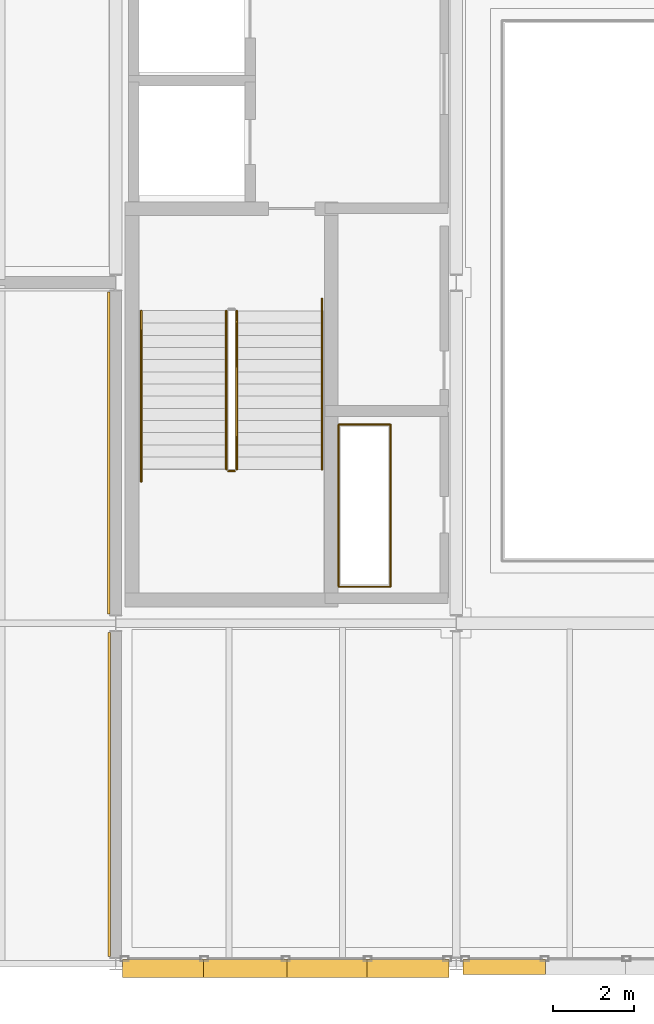
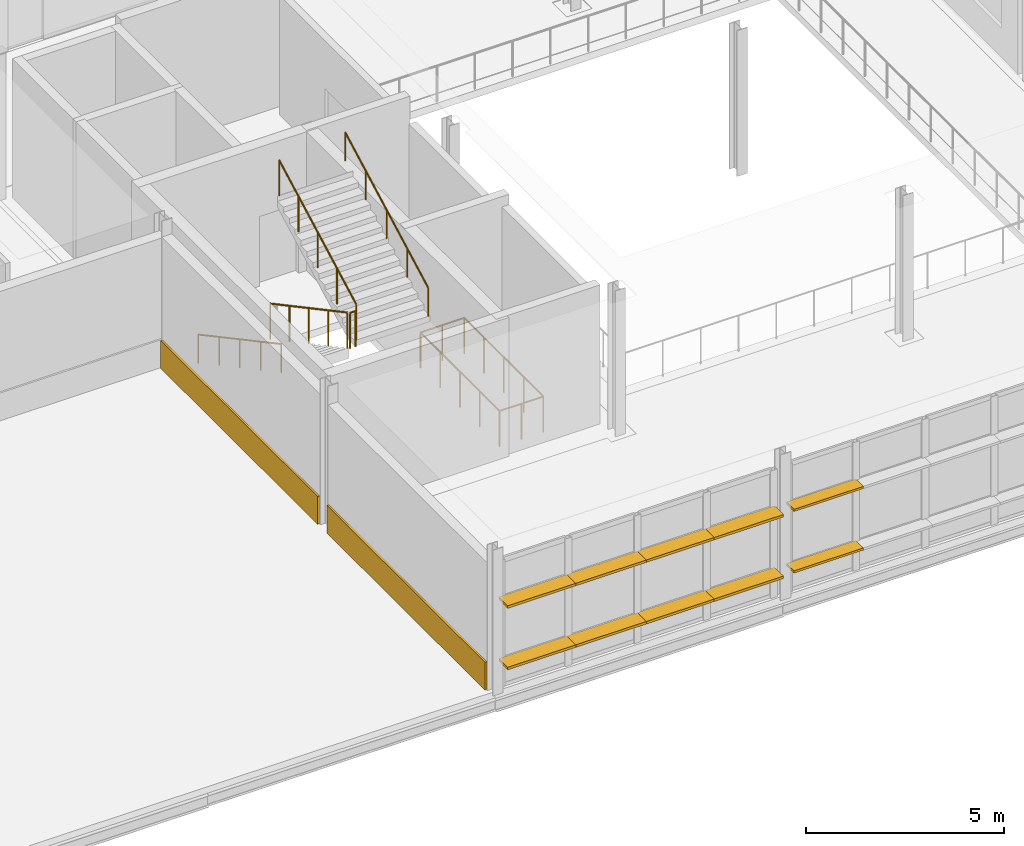
# One storey, part 109 of 129: 10 shading devices, 6 railings, 2 coverings.
"""IFC4 building model written with IfcOpenShell, lengths in metres."""

from ifc_helpers import new_model, si_unit, direction, frame, origin, origin_2d, place, context, subcontext, project, spatial, rectangle, circle, extrude, material, layer, layer_set, type_object, element, save


model = new_model("IFC4")

# Units and contexts
model_context = context("Model", 3, precision=1e-05, world=origin(), true_north=direction((0.0, 1.0)))
body_context = subcontext(model_context, "Body", "Model", "MODEL_VIEW")
ifc_project = project(units=[si_unit("LENGTHUNIT", "METRE"), si_unit("AREAUNIT", "SQUARE_METRE"), si_unit("VOLUMEUNIT", "CUBIC_METRE"), si_unit("PLANEANGLEUNIT", "RADIAN"), si_unit("MASSUNIT", "GRAM", prefix="KILO")], contexts=[model_context])

# Site, building, storey
site_placement = place(None, origin())
site = spatial("IfcSite", under=ifc_project, at=site_placement, CompositionType="ELEMENT")
building_placement = place(site_placement, origin())
building = spatial("IfcBuilding", under=site, at=building_placement, Name="Mersafa Astral City Hall", CompositionType="ELEMENT")
storey_placement = place(building_placement, frame((0.0, 0.0, 5.39990234375)))
storey = spatial("IfcBuildingStorey", under=building, at=storey_placement, Name="L01", CompositionType="ELEMENT", Elevation=5.39990234375)

# Coverings
ifc_material_1 = material(Name="Cairo Mokattam buff limestone cladding", Category="masonry")
ifc_layer = layer(ifc_material_1, 0.06005859375, Name="Cairo Mokattam buff limestone cladding")
ifc_layer_set = layer_set([ifc_layer], Name="Cairo Mokattam buff limestone cladding — ENV-COV-LIMESTONE-60")
covering_type = type_object("IfcCoveringType", Name="ENV-COV-LIMESTONE-60", PredefinedType="CLADDING", material=ifc_layer_set)
covering_1_placement = place(storey_placement, frame((117.430419921875, 12.60009765625, 0.0), z_axis=(0.0, 0.0, 1.0), x_axis=(0.0, -1.0, 0.0)))
element("IfcCovering", 1, at=covering_1_placement, inside=storey, type_object=covering_type, Name="L01 Cairo buff limestone rainscreen cladding 73", PredefinedType="CLADDING", context=body_context, shape_type="SweptSolid", body=[
    extrude(rectangle(XDim=7.947998046875, YDim=0.06005859375, at=origin_2d()), origin(), (0.0, 0.0, 1.0), 0.860107421875),
])
covering_2_placement = place(storey_placement, frame((117.43798828125, 4.175048828125, 0.0), z_axis=(0.0, 0.0, 1.0), x_axis=(0.0, -1.0, 0.0)))
element("IfcCovering", 2, at=covering_2_placement, inside=storey, type_object=covering_type, Name="L01 Cairo buff limestone rainscreen cladding 74", PredefinedType="CLADDING", context=body_context, shape_type="SweptSolid", body=[
    extrude(rectangle(XDim=7.998046875, YDim=0.06005859375, at=origin_2d()), origin(), (0.0, 0.0, 1.0), 0.860107421875),
])

# Shading devices
ifc_material_2 = material(Name="Kiln-dried cedar timber brise-soleil blade", Category="wood")
shading_device_type_1 = type_object("IfcShadingDeviceType", Name="ENV-SHD-LOUVRE-380", PredefinedType="JALOUSIE", material=ifc_material_2)
for number, where, z_axis, x_axis, name in (
    (3, (127.1865234375, -0.080078125, 0.81494140625), (0.0, 0.0, 1.0), (1.0, 0.0, 0.0), "L01 Horizontal cedar brise-soleil louvre 309"),
    (4, (127.1865234375, -0.080078125, 2.71484375), (0.0, 0.0, 1.0), (1.0, 0.0, 0.0), "L01 Horizontal cedar brise-soleil louvre 313"),
):
    element("IfcShadingDevice", number, at=place(storey_placement, frame(where, z_axis=z_axis, x_axis=x_axis)), inside=storey, type_object=shading_device_type_1, Name=name, PredefinedType="JALOUSIE", context=body_context, shape_type="SweptSolid", body=[
        extrude(rectangle(XDim=2.029052734375, YDim=0.3798828125, at=origin_2d()), origin(), (0.0, 0.0, 1.0), 0.070068359375),
    ])
shading_device_type_2 = type_object("IfcShadingDeviceType", Name="ENV-SHD-LOUVRE-450", PredefinedType="JALOUSIE", material=ifc_material_2)
shading_device_1_placement = place(storey_placement, frame((118.78662109375, -0.114990234375, 0.81005859375), z_axis=(0.0, 0.0, 1.0), x_axis=(1.0, 0.0, 0.0)))
element("IfcShadingDevice", 5, at=shading_device_1_placement, inside=storey, type_object=shading_device_type_2, Name="L01 Horizontal cedar brise-soleil louvre 301", PredefinedType="JALOUSIE", context=body_context, shape_type="SweptSolid", body=[
    extrude(rectangle(XDim=2.029052734375, YDim=0.449951171875, at=origin_2d()), origin(), (0.0, 0.0, 1.0), 0.080078125),
])
for number, where, z_axis, x_axis, name in (
    (6, (120.79052734375, -0.114990234375, 0.81005859375), (0.0, 0.0, 1.0), (1.0, 0.0, 0.0), "L01 Horizontal cedar brise-soleil louvre 302"),
    (7, (122.8095703125, -0.114990234375, 0.81005859375), (0.0, 0.0, 1.0), (1.0, 0.0, 0.0), "L01 Horizontal cedar brise-soleil louvre 303"),
):
    element("IfcShadingDevice", number, at=place(storey_placement, frame(where, z_axis=z_axis, x_axis=x_axis)), inside=storey, type_object=shading_device_type_2, Name=name, PredefinedType="JALOUSIE", context=body_context, shape_type="SweptSolid", body=[
        extrude(rectangle(XDim=2.05908203125, YDim=0.449951171875, at=origin_2d()), origin(), (0.0, 0.0, 1.0), 0.080078125),
    ])
for number, where, z_axis, x_axis, name in (
    (8, (124.8134765625, -0.114990234375, 0.81005859375), (0.0, 0.0, 1.0), (1.0, 0.0, 0.0), "L01 Horizontal cedar brise-soleil louvre 304"),
    (9, (118.78662109375, -0.114990234375, 2.7099609375), (0.0, 0.0, 1.0), (1.0, 0.0, 0.0), "L01 Horizontal cedar brise-soleil louvre 305"),
):
    element("IfcShadingDevice", number, at=place(storey_placement, frame(where, z_axis=z_axis, x_axis=x_axis)), inside=storey, type_object=shading_device_type_2, Name=name, PredefinedType="JALOUSIE", context=body_context, shape_type="SweptSolid", body=[
        extrude(rectangle(XDim=2.029052734375, YDim=0.449951171875, at=origin_2d()), origin(), (0.0, 0.0, 1.0), 0.080078125),
    ])
for number, where, z_axis, x_axis, name in (
    (10, (120.79052734375, -0.114990234375, 2.7099609375), (0.0, 0.0, 1.0), (1.0, 0.0, 0.0), "L01 Horizontal cedar brise-soleil louvre 306"),
    (11, (122.8095703125, -0.114990234375, 2.7099609375), (0.0, 0.0, 1.0), (1.0, 0.0, 0.0), "L01 Horizontal cedar brise-soleil louvre 307"),
):
    element("IfcShadingDevice", number, at=place(storey_placement, frame(where, z_axis=z_axis, x_axis=x_axis)), inside=storey, type_object=shading_device_type_2, Name=name, PredefinedType="JALOUSIE", context=body_context, shape_type="SweptSolid", body=[
        extrude(rectangle(XDim=2.05908203125, YDim=0.449951171875, at=origin_2d()), origin(), (0.0, 0.0, 1.0), 0.080078125),
    ])
shading_device_2_placement = place(storey_placement, frame((124.8134765625, -0.114990234375, 2.7099609375), z_axis=(0.0, 0.0, 1.0), x_axis=(1.0, 0.0, 0.0)))
element("IfcShadingDevice", 12, at=shading_device_2_placement, inside=storey, type_object=shading_device_type_2, Name="L01 Horizontal cedar brise-soleil louvre 308", PredefinedType="JALOUSIE", context=body_context, shape_type="SweptSolid", body=[
    extrude(rectangle(XDim=2.029052734375, YDim=0.449951171875, at=origin_2d()), origin(), (0.0, 0.0, 1.0), 0.080078125),
])

# Railings
ifc_material_3 = material(Name="Painted architectural steel stair guard balustrade", Category="steel")
railing_type_1 = type_object("IfcRailingType", Name="GUARD-RAIL", PredefinedType="BALUSTRADE", material=ifc_material_3)
railing_1_placement = place(storey_placement, frame((120.330078125, 16.10009765625, 0.160888671875)))
element("IfcRailing", 13, at=railing_1_placement, inside=storey, type_object=railing_type_1, Name="L01 ST5 stair guard 1", PredefinedType="BALUSTRADE", context=body_context, shape_type="SweptSolid", body=[
    extrude(circle(Radius=0.02392578125, at=origin_2d()), frame((0.0, 0.0, 1.09619140625), z_axis=(0.0, -0.881503758195, 0.472177005251), x_axis=(1.0, 0.0, 0.0)), (0.0, 0.0, 1.0), 4.42431640625),
    extrude(circle(Radius=0.02099609375, at=origin_2d()), origin(), (0.0, 0.0, 1.0), 1.072021484375),
    extrude(circle(Radius=0.02099609375, at=origin_2d()), frame((0.0, -0.97509765625, 0.522216796875)), (0.0, 0.0, 1.0), 1.072021484375),
    extrude(circle(Radius=0.02099609375, at=origin_2d()), frame((0.0, -1.9501953125, 1.04443359375)), (0.0, 0.0, 1.0), 1.072021484375),
    extrude(circle(Radius=0.02099609375, at=origin_2d()), frame((0.0, -2.925048828125, 1.56689453125)), (0.0, 0.0, 1.0), 1.072021484375),
    extrude(circle(Radius=0.02099609375, at=origin_2d()), frame((0.0, -3.900146484375, 2.089111328125)), (0.0, 0.0, 1.0), 1.072021484375),
])
railing_2_placement = place(storey_placement, frame((120.3798828125, 12.14990234375, 2.25)))
element("IfcRailing", 14, at=railing_2_placement, inside=storey, type_object=railing_type_1, Name="L01 ST5 stair guard 2", PredefinedType="BALUSTRADE", context=body_context, shape_type="SweptSolid", body=[
    extrude(circle(Radius=0.02392578125, at=origin_2d()), frame((0.0, 0.0, 1.09619140625), z_axis=(1.0, 0.0, 0.0), x_axis=(0.0, 1.0, 0.0)), (0.0, 0.0, 1.0), 0.16015625),
    extrude(circle(Radius=0.02099609375, at=origin_2d()), origin(), (0.0, 0.0, 1.0), 1.072021484375),
    extrude(circle(Radius=0.02099609375, at=origin_2d()), frame((0.16015625, 0.0, 0.0)), (0.0, 0.0, 1.0), 1.072021484375),
])
railing_3_placement = place(storey_placement, frame((120.590087890625, 12.199951171875, 2.410888671875)))
element("IfcRailing", 15, at=railing_3_placement, inside=storey, type_object=railing_type_1, Name="L01 ST5 stair guard 3", PredefinedType="BALUSTRADE", context=body_context, shape_type="SweptSolid", body=[
    extrude(circle(Radius=0.02392578125, at=origin_2d()), frame((0.0, 0.0, 1.09619140625), z_axis=(0.0, 0.881503758195, 0.472177005251), x_axis=(-1.0, 0.0, 0.0)), (0.0, 0.0, 1.0), 4.42431640625),
    extrude(circle(Radius=0.02099609375, at=origin_2d()), origin(), (0.0, 0.0, 1.0), 1.072021484375),
    extrude(circle(Radius=0.02099609375, at=origin_2d()), frame((0.0, 0.97509765625, 0.522216796875)), (0.0, 0.0, 1.0), 1.072021484375),
    extrude(circle(Radius=0.02099609375, at=origin_2d()), frame((0.0, 1.9501953125, 1.04443359375)), (0.0, 0.0, 1.0), 1.072021484375),
    extrude(circle(Radius=0.02099609375, at=origin_2d()), frame((0.0, 2.925048828125, 1.56689453125)), (0.0, 0.0, 1.0), 1.072021484375),
    extrude(circle(Radius=0.02099609375, at=origin_2d()), frame((0.0, 3.900146484375, 2.089111328125)), (0.0, 0.0, 1.0), 1.072021484375),
])
railing_4_placement = place(storey_placement, frame((123.10009765625, 9.300048828125, 0.0)))
element("IfcRailing", 16, at=railing_4_placement, inside=storey, type_object=railing_type_1, Name="L01 K5 MEP Riser Shaft Guard", PredefinedType="BALUSTRADE", context=body_context, shape_type="SweptSolid", body=[
    extrude(circle(Radius=0.02392578125, at=origin_2d()), frame((0.0, 0.0, 1.09619140625), z_axis=(1.0, 0.0, 0.0), x_axis=(0.0, 1.0, 0.0)), (0.0, 0.0, 1.0), 1.27978515625),
    extrude(circle(Radius=0.02392578125, at=origin_2d()), frame((1.27978515625, 0.0, 1.09619140625), z_axis=(0.0, 1.0, 0.0), x_axis=(-1.0, 0.0, 0.0)), (0.0, 0.0, 1.0), 4.0),
    extrude(circle(Radius=0.02392578125, at=origin_2d()), frame((1.27978515625, 4.0, 1.09619140625), z_axis=(-1.0, 0.0, 0.0), x_axis=(0.0, -1.0, 0.0)), (0.0, 0.0, 1.0), 1.27978515625),
    extrude(circle(Radius=0.02392578125, at=origin_2d()), frame((0.0, 4.0, 1.09619140625), z_axis=(0.0, -1.0, 0.0), x_axis=(1.0, 0.0, 0.0)), (0.0, 0.0, 1.0), 4.0),
    extrude(circle(Radius=0.02099609375, at=origin_2d()), origin(), (0.0, 0.0, 1.0), 1.072021484375),
    extrude(circle(Radius=0.02099609375, at=origin_2d()), frame((0.639892578125, 0.0, 0.0)), (0.0, 0.0, 1.0), 1.072021484375),
    extrude(circle(Radius=0.02099609375, at=origin_2d()), frame((1.27978515625, 0.0, 0.0)), (0.0, 0.0, 1.0), 1.072021484375),
    extrude(circle(Radius=0.02099609375, at=origin_2d()), frame((1.27978515625, 1.0, 0.0)), (0.0, 0.0, 1.0), 1.072021484375),
    extrude(circle(Radius=0.02099609375, at=origin_2d()), frame((1.27978515625, 2.0, 0.0)), (0.0, 0.0, 1.0), 1.072021484375),
    extrude(circle(Radius=0.02099609375, at=origin_2d()), frame((1.27978515625, 3.0, 0.0)), (0.0, 0.0, 1.0), 1.072021484375),
    extrude(circle(Radius=0.02099609375, at=origin_2d()), frame((1.27978515625, 4.0, 0.0)), (0.0, 0.0, 1.0), 1.072021484375),
    extrude(circle(Radius=0.02099609375, at=origin_2d()), frame((0.639892578125, 4.0, 0.0)), (0.0, 0.0, 1.0), 1.072021484375),
    extrude(circle(Radius=0.02099609375, at=origin_2d()), frame((0.0, 4.0, 0.0)), (0.0, 0.0, 1.0), 1.072021484375),
    extrude(circle(Radius=0.02099609375, at=origin_2d()), frame((0.0, 3.0, 0.0)), (0.0, 0.0, 1.0), 1.072021484375),
    extrude(circle(Radius=0.02099609375, at=origin_2d()), frame((0.0, 2.0, 0.0)), (0.0, 0.0, 1.0), 1.072021484375),
    extrude(circle(Radius=0.02099609375, at=origin_2d()), frame((0.0, 1.0, 0.0)), (0.0, 0.0, 1.0), 1.072021484375),
])
ifc_material_4 = material(Name="Brushed stainless steel tubular handrail", Category="steel")
railing_type_2 = type_object("IfcRailingType", Name="HANDRAIL", PredefinedType="HANDRAIL", material=ifc_material_4)
railing_5_placement = place(storey_placement, frame((118.22998046875, 16.10009765625, 0.160888671875)))
element("IfcRailing", 17, at=railing_5_placement, inside=storey, type_object=railing_type_2, Name="L01 ST5 stair handrail 1", PredefinedType="HANDRAIL", context=body_context, shape_type="SweptSolid", body=[
    extrude(circle(Radius=0.02392578125, at=origin_2d()), frame((0.0, 0.0, 0.8759765625), z_axis=(0.0, -0.881233128509, 0.47268189432), x_axis=(1.0, 0.0, 0.0)), (0.0, 0.0, 1.0), 4.766357421875),
    extrude(circle(Radius=0.02099609375, at=origin_2d()), origin(), (0.0, 0.0, 1.0), 0.851806640625),
    extrude(circle(Radius=0.02099609375, at=origin_2d()), frame((0.0, -1.050048828125, 0.563232421875)), (0.0, 0.0, 1.0), 0.851806640625),
    extrude(circle(Radius=0.02099609375, at=origin_2d()), frame((0.0, -2.10009765625, 1.12646484375)), (0.0, 0.0, 1.0), 0.851806640625),
    extrude(circle(Radius=0.02099609375, at=origin_2d()), frame((0.0, -3.150146484375, 1.689697265625)), (0.0, 0.0, 1.0), 0.851806640625),
    extrude(circle(Radius=0.02099609375, at=origin_2d()), frame((0.0, -4.2001953125, 2.2529296875)), (0.0, 0.0, 1.0), 0.851806640625),
])
railing_6_placement = place(storey_placement, frame((122.68994140625, 12.199951171875, 2.410888671875)))
element("IfcRailing", 18, at=railing_6_placement, inside=storey, type_object=railing_type_2, Name="L01 ST5 stair handrail 2", PredefinedType="HANDRAIL", context=body_context, shape_type="SweptSolid", body=[
    extrude(circle(Radius=0.02392578125, at=origin_2d()), frame((0.0, 0.0, 0.8759765625), z_axis=(0.0, 0.881221683169, 0.472703231546), x_axis=(-1.0, 0.0, 0.0)), (0.0, 0.0, 1.0), 4.76611328125),
    extrude(circle(Radius=0.02099609375, at=origin_2d()), origin(), (0.0, 0.0, 1.0), 0.851806640625),
    extrude(circle(Radius=0.02099609375, at=origin_2d()), frame((0.0, 1.050048828125, 0.563232421875)), (0.0, 0.0, 1.0), 0.851806640625),
    extrude(circle(Radius=0.02099609375, at=origin_2d()), frame((0.0, 2.10009765625, 1.12646484375)), (0.0, 0.0, 1.0), 0.851806640625),
    extrude(circle(Radius=0.02099609375, at=origin_2d()), frame((0.0, 3.14990234375, 1.689697265625)), (0.0, 0.0, 1.0), 0.851806640625),
    extrude(circle(Radius=0.02099609375, at=origin_2d()), frame((0.0, 4.199951171875, 2.2529296875)), (0.0, 0.0, 1.0), 0.851806640625),
])

save(model, "model.ifc")
